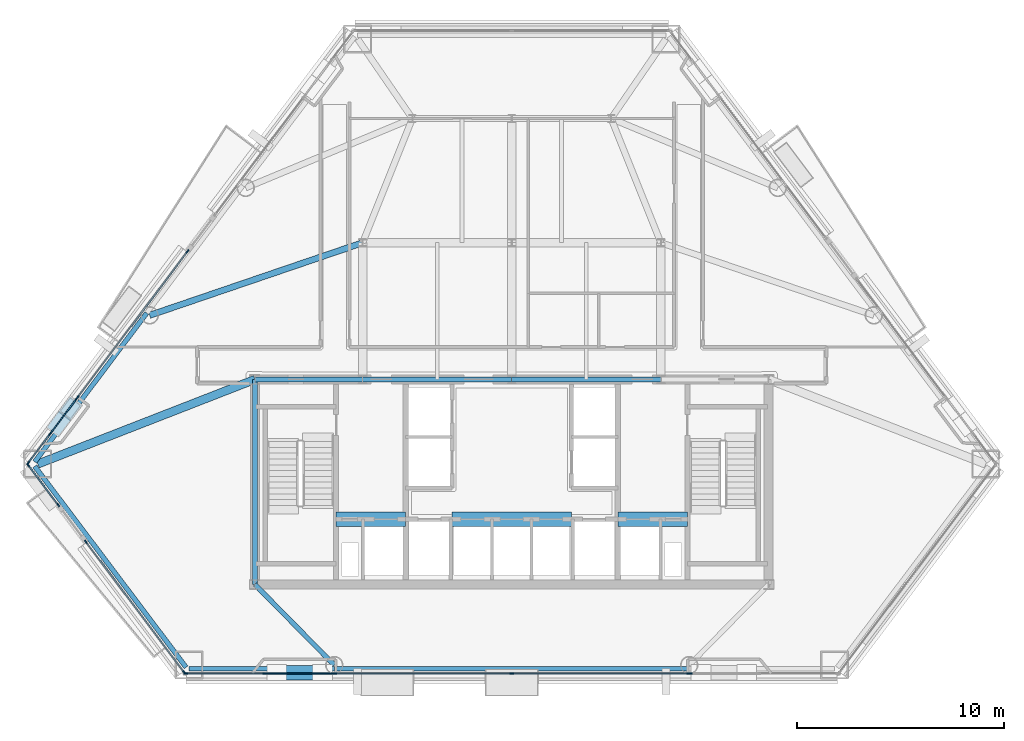
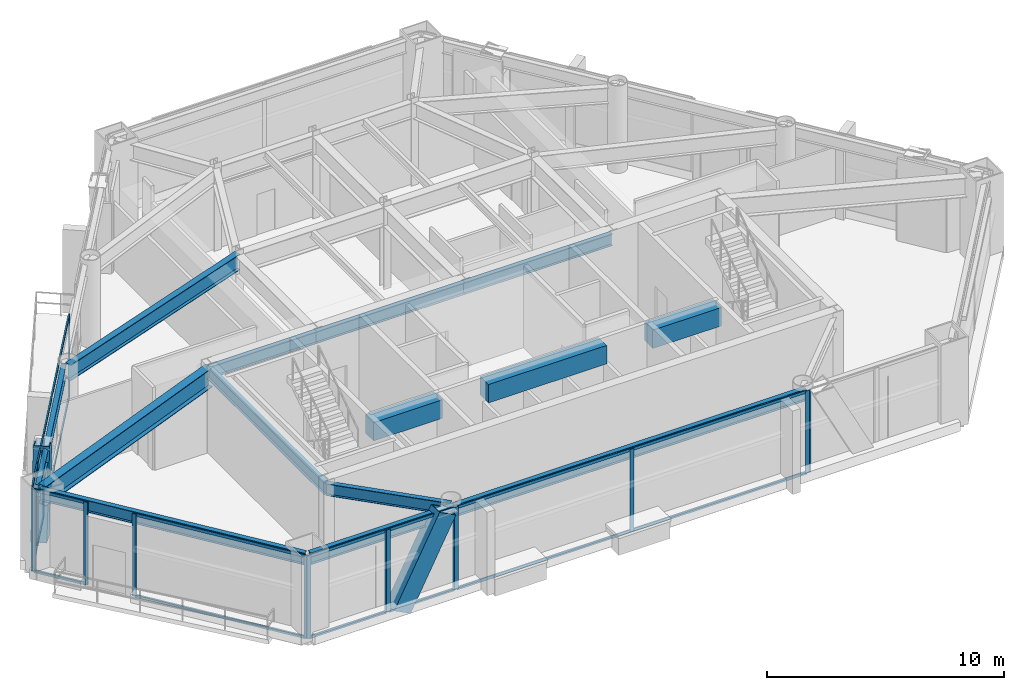
# One storey, part 2 of 10: 38 members, 14 beams, 9 elements without a shape of their own.
"""IFC4 building model written with IfcOpenShell, lengths in metres."""

from ifc_helpers import new_model, si_unit, direction, frame, origin, origin_2d, place, context, subcontext, project, spatial, rectangle, hollow_rectangle, i_section, extrude, material, layer, layer_set, material_profile, profile_set, type_object, element, aggregate, save


model = new_model("IFC4")

# Units and contexts
model_context = context("Model", 3, precision=1e-05, world=origin(), true_north=direction((0.0, 1.0)))
body_context = subcontext(model_context, "Body", "Model", "MODEL_VIEW")
ifc_project = project(units=[si_unit("LENGTHUNIT", "METRE"), si_unit("AREAUNIT", "SQUARE_METRE"), si_unit("VOLUMEUNIT", "CUBIC_METRE"), si_unit("PLANEANGLEUNIT", "RADIAN"), si_unit("MASSUNIT", "GRAM", prefix="KILO")], contexts=[model_context])

# Site, building, storey
site_placement = place(None, origin())
site = spatial("IfcSite", under=ifc_project, at=site_placement, CompositionType="ELEMENT")
building_placement = place(site_placement, origin())
building = spatial("IfcBuilding", under=site, at=building_placement, Name="Talgorran Terracotta Tower", CompositionType="ELEMENT")
storey_placement = place(building_placement, frame((0.0, 0.0, 60.300048828125)))
storey = spatial("IfcBuildingStorey", under=building, at=storey_placement, Name="L15", CompositionType="ELEMENT", Elevation=60.300048828125)

# Beams
ifc_material_1 = material(Name="Steel Grade 350 (350L0)", Category="steel")
ifc_material_profile_1 = material_profile(ifc_material_1, i_section(OverallWidth=0.39990234375, OverallDepth=1.0, WebThickness=0.01611328125, FlangeThickness=0.031005859375, at=origin_2d()), Name="1000WB296")
ifc_profile_set_1 = profile_set([ifc_material_profile_1], Name="Steel Grade 350 (350L0)")
beam_type_1 = type_object("IfcBeamType", Name="BM_1000WB296", PredefinedType="BEAM", material=ifc_profile_set_1)
beam_1_placement = place(storey_placement, frame((-12.39990234375, -4.199951171875, 3.75), z_axis=(-0.931733259181, -0.363143406571, 0.0), x_axis=(0.363143406571, -0.931733259181, 0.0)))
element("IfcBeam", 1, at=beam_1_placement, inside=storey, type_object=beam_type_1, Name="L15 Floor Girder G17", PredefinedType="BEAM", context=body_context, shape_type="SweptSolid", body=[
    extrude(i_section(OverallWidth=0.39990234375, OverallDepth=1.0, WebThickness=0.01611328125, FlangeThickness=0.031005859375, at=origin_2d()), origin(), (0.0, 0.0, 1.0), 11.253662109375),
])
ifc_material_2 = material(Name="Steel S355 (300PLUS)", Category="steel")
ifc_material_profile_2 = material_profile(ifc_material_2, i_section(OverallWidth=0.300048828125, OverallDepth=0.81591796875, WebThickness=0.013916015625, FlangeThickness=0.028076171875, at=origin_2d()), Name="800WB192")
ifc_profile_set_2 = profile_set([ifc_material_profile_2], Name="Steel S355 (300PLUS)")
beam_type_2 = type_object("IfcBeamType", Name="BM_800WB192", PredefinedType="BEAM", material=ifc_profile_set_2)
beam_2_placement = place(storey_placement, frame((-7.199951171875, 2.39990234375, 3.842041015625), z_axis=(-0.94650066869, -0.322701850274, 0.0), x_axis=(0.322701850274, -0.94650066869, 0.0)))
element("IfcBeam", 2, at=beam_2_placement, inside=storey, type_object=beam_type_2, Name="L15 Floor Girder G06", PredefinedType="BEAM", context=body_context, shape_type="SweptSolid", body=[
    extrude(i_section(OverallWidth=0.300048828125, OverallDepth=0.81591796875, WebThickness=0.013916015625, FlangeThickness=0.028076171875, at=origin_2d()), origin(), (0.0, 0.0, 1.0), 10.859619140625),
])
ifc_material_3 = material(Name="Concrete C65/80", Category="concrete")
ifc_material_profile_3 = material_profile(ifc_material_3, rectangle(XDim=0.699951171875, YDim=0.949951171875, at=origin_2d()), Name="RCCB700X950")
ifc_profile_set_3 = profile_set([ifc_material_profile_3], Name="Concrete C65/80")
beam_type_3 = type_object("IfcBeamType", Name="BM_CB_700X950", PredefinedType="LINTEL", material=ifc_profile_set_3)
beam_3_placement = place(storey_placement, frame((-8.47998046875, -10.949951171875, 3.77490234375), z_axis=(1.0, 0.0, 0.0), x_axis=(0.0, 1.0, 0.0)))
element("IfcBeam", 3, at=beam_3_placement, inside=storey, type_object=beam_type_3, Name="L15 Core Shear-Wall Coupling Beam CB1", PredefinedType="LINTEL", context=body_context, shape_type="SweptSolid", body=[
    extrude(rectangle(XDim=0.699951171875, YDim=0.949951171875, at=origin_2d()), origin(), (0.0, 0.0, 1.0), 3.35986328125),
])
beam_4_placement = place(storey_placement, frame((-2.8798828125, -10.949951171875, 3.77490234375), z_axis=(1.0, 0.0, 0.0), x_axis=(0.0, 1.0, 0.0)))
element("IfcBeam", 4, at=beam_4_placement, inside=storey, type_object=beam_type_3, Name="L15 Core Shear-Wall Coupling Beam CB2", PredefinedType="LINTEL", context=body_context, shape_type="SweptSolid", body=[
    extrude(rectangle(XDim=0.699951171875, YDim=0.949951171875, at=origin_2d()), origin(), (0.0, 0.0, 1.0), 5.759765625),
])
beam_5_placement = place(storey_placement, frame((5.1201171875, -10.949951171875, 3.77490234375), z_axis=(1.0, 0.0, 0.0), x_axis=(0.0, 1.0, 0.0)))
element("IfcBeam", 5, at=beam_5_placement, inside=storey, type_object=beam_type_3, Name="L15 Core Shear-Wall Coupling Beam CB3", PredefinedType="LINTEL", context=body_context, shape_type="SweptSolid", body=[
    extrude(rectangle(XDim=0.699951171875, YDim=0.949951171875, at=origin_2d()), origin(), (0.0, 0.0, 1.0), 3.35986328125),
])
ifc_material_profile_4 = material_profile(ifc_material_2, i_section(OverallWidth=0.22900390625, OverallDepth=0.611572265625, WebThickness=0.011962890625, FlangeThickness=0.01953125, at=origin_2d()), Name="610UB125")
ifc_profile_set_4 = profile_set([ifc_material_profile_4], Name="Steel S355 (300PLUS)")
beam_type_4 = type_object("IfcBeamType", Name="BM_SP_610UB125", PredefinedType="SPANDREL", material=ifc_profile_set_4)
beam_6_placement = place(storey_placement, frame((-23.029052734375, -8.39501953125, 3.944091796875), z_axis=(0.601442935973, -0.798915761997, 0.0), x_axis=(0.798915761997, 0.601442935973, 0.0)))
element("IfcBeam", 6, at=beam_6_placement, inside=storey, type_object=beam_type_4, Name="L15 Perimeter Spandrel Beam MC1-MC2", PredefinedType="SPANDREL", context=body_context, shape_type="SweptSolid", body=[
    extrude(i_section(OverallWidth=0.22900390625, OverallDepth=0.611572265625, WebThickness=0.011962890625, FlangeThickness=0.01953125, at=origin_2d()), origin(), (0.0, 0.0, 1.0), 12.14697265625),
])
beam_7_placement = place(storey_placement, frame((-15.57958984375, -18.171142578125, 3.944091796875), z_axis=(1.0, 0.0, 0.0), x_axis=(0.0, 1.0, 0.0)))
element("IfcBeam", 7, at=beam_7_placement, inside=storey, type_object=beam_type_4, Name="L15 Perimeter Spandrel Beam MC2-FC1", PredefinedType="SPANDREL", context=body_context, shape_type="SweptSolid", body=[
    extrude(i_section(OverallWidth=0.22900390625, OverallDepth=0.611572265625, WebThickness=0.011962890625, FlangeThickness=0.01953125, at=origin_2d()), origin(), (0.0, 0.0, 1.0), 7.0107421875),
])
beam_8_placement = place(storey_placement, frame((-8.56884765625, -18.171142578125, 3.944091796875), z_axis=(1.0, 0.0, 0.0), x_axis=(0.0, 1.0, 0.0)))
element("IfcBeam", 8, at=beam_8_placement, inside=storey, type_object=beam_type_4, Name="L15 Perimeter Spandrel Beam FC1-FC2", PredefinedType="SPANDREL", context=body_context, shape_type="SweptSolid", body=[
    extrude(i_section(OverallWidth=0.22900390625, OverallDepth=0.611572265625, WebThickness=0.011962890625, FlangeThickness=0.01953125, at=origin_2d()), origin(), (0.0, 0.0, 1.0), 17.1376953125),
])
beam_9_placement = place(storey_placement, frame((-17.622314453125, -0.996337890625, 3.944091796875), z_axis=(-0.601446008666, -0.798913448791, 0.0), x_axis=(0.798913448791, -0.601446008666, 0.0)))
element("IfcBeam", 9, at=beam_9_placement, inside=storey, type_object=beam_type_4, Name="L15 Perimeter Spandrel Beam FC6-MC1", PredefinedType="SPANDREL", context=body_context, shape_type="SweptSolid", body=[
    extrude(i_section(OverallWidth=0.22900390625, OverallDepth=0.611572265625, WebThickness=0.011962890625, FlangeThickness=0.01953125, at=origin_2d()), origin(), (0.0, 0.0, 1.0), 8.989501953125),
])
beam_10_placement = place(storey_placement, frame((-8.56884765625, -17.9912109375, 3.944091796875), z_axis=(-0.701586091596, 0.712584700985, 0.0), x_axis=(-0.712584700985, -0.701586091596, 0.0)))
element("IfcBeam", 10, at=beam_10_placement, inside=storey, type_object=beam_type_4, Name="L15 South-West Core Tie Beam", PredefinedType="SPANDREL", context=body_context, shape_type="SweptSolid", body=[
    extrude(i_section(OverallWidth=0.22900390625, OverallDepth=0.611572265625, WebThickness=0.011962890625, FlangeThickness=0.01953125, at=origin_2d()), origin(), (0.0, 0.0, 1.0), 5.46044921875),
])
beam_11_placement = place(storey_placement, frame((-12.39990234375, -14.10009765625, 3.944091796875), z_axis=(0.0, 1.0, 0.0), x_axis=(-1.0, 0.0, 0.0)))
element("IfcBeam", 11, at=beam_11_placement, inside=storey, type_object=beam_type_4, Name="L15 Core Frame Beam CFW", PredefinedType="SPANDREL", context=body_context, shape_type="SweptSolid", body=[
    extrude(i_section(OverallWidth=0.22900390625, OverallDepth=0.611572265625, WebThickness=0.011962890625, FlangeThickness=0.01953125, at=origin_2d()), origin(), (0.0, 0.0, 1.0), 9.900146484375),
])
beam_12_placement = place(storey_placement, frame((-12.39990234375, -4.199951171875, 3.944091796875), z_axis=(1.0, 0.0, 0.0), x_axis=(0.0, 1.0, 0.0)))
element("IfcBeam", 12, at=beam_12_placement, inside=storey, type_object=beam_type_4, Name="L15 Core Frame Beam CFN1", PredefinedType="SPANDREL", context=body_context, shape_type="SweptSolid", body=[
    extrude(i_section(OverallWidth=0.22900390625, OverallDepth=0.611572265625, WebThickness=0.011962890625, FlangeThickness=0.01953125, at=origin_2d()), origin(), (0.0, 0.0, 1.0), 5.199951171875),
])
for number, where, z_axis, x_axis, name in (
    (13, (-7.199951171875, -4.199951171875, 3.944091796875), (1.0, 0.0, 0.0), (0.0, 1.0, 0.0), "L15 Core Frame Beam CFN2"),
    (14, (0.0, -4.199951171875, 3.944091796875), (1.0, 0.0, 0.0), (0.0, 1.0, 0.0), "L15 Core Frame Beam CFN3"),
):
    element("IfcBeam", number, at=place(storey_placement, frame(where, z_axis=z_axis, x_axis=x_axis)), inside=storey, type_object=beam_type_4, Name=name, PredefinedType="SPANDREL", context=body_context, shape_type="SweptSolid", body=[
        extrude(i_section(OverallWidth=0.22900390625, OverallDepth=0.611572265625, WebThickness=0.011962890625, FlangeThickness=0.01953125, at=origin_2d()), origin(), (0.0, 0.0, 1.0), 7.199951171875),
    ])

# Members
ifc_material_profile_5 = material_profile(ifc_material_1, hollow_rectangle(XDim=0.699951171875, YDim=0.89990234375, WallThickness=0.050048828125, at=origin_2d()), Name="WBOX900X700X50")
ifc_profile_set_5 = profile_set([ifc_material_profile_5], Name="Steel Grade 350 (350L0)")
member_type_1 = type_object("IfcMemberType", Name="MB_MEGA_900", PredefinedType="BRACE", material=ifc_profile_set_5)
member_1_placement = place(storey_placement, frame((-11.3466796875, -18.35107421875, -0.025146484375), z_axis=(0.456504313532, 0.0, 0.889721198875), x_axis=(0.0, 1.0, 0.0)))
element("IfcMember", 15, at=member_1_placement, inside=storey, type_object=member_type_1, Name="L15 Exterior Face Mega-Brace MB-1 (SWF)", PredefinedType="BRACE", context=body_context, shape_type="SweptSolid", body=[
    extrude(hollow_rectangle(XDim=0.699951171875, YDim=0.89990234375, WallThickness=0.050048828125, at=origin_2d()), origin(), (0.0, 0.0, 1.0), 4.8330078125),
])
member_2_placement = place(storey_placement, frame((-21.889892578125, -6.365478515625, -0.025146484375), z_axis=(0.132000921247, 0.17526265834, 0.975632490942), x_axis=(-0.798786555616, 0.601614526559, 0.0)))
element("IfcMember", 16, at=member_2_placement, inside=storey, type_object=member_type_1, Name="L15 Exterior Face Mega-Brace MB-1 (NWL)", PredefinedType="BRACE", context=body_context, shape_type="SweptSolid", body=[
    extrude(hollow_rectangle(XDim=0.699951171875, YDim=0.89990234375, WallThickness=0.050048828125, at=origin_2d()), origin(), (0.0, 0.0, 1.0), 4.407470703125),
])

# Curtain wall, members
ifc_material_4 = material(Name="Unitised Low-E Double Glazing", Category="glass")
ifc_layer = layer(ifc_material_4, 0.199951171875, Name="CW_SYS2_RES_LOW")
ifc_layer_set = layer_set([ifc_layer], Name="Unitised Low-E Double Glazing")
curtain_wall_type = type_object("IfcCurtainWallType", Name="CW_SYS2_RES_LOW", PredefinedType="NOTDEFINED", material=ifc_layer_set)
curtain_wall_1_placement = place(storey_placement, origin())
curtain_wall_1 = element("IfcCurtainWall", 17, at=curtain_wall_1_placement, inside=storey, type_object=curtain_wall_type, Name="CW-L15-F10", PredefinedType="NOTDEFINED")
ifc_material_5 = material(Name="Architectural Aluminium 6063-T6", Category="aluminium")
ifc_material_profile_6 = material_profile(ifc_material_5, rectangle(XDim=0.06494140625, YDim=0.18505859375, at=origin_2d()), Name="CWM65X185")
ifc_profile_set_6 = profile_set([ifc_material_profile_6], Name="Architectural Aluminium 6063-T6")
member_type_2 = type_object("IfcMemberType", Name="MUL_65X185", PredefinedType="MULLION", material=ifc_profile_set_6)
member_3_placement = place(storey_placement, frame((-23.34228515625, -8.344482421875, 0.0), z_axis=(0.0, 0.0, 1.0), x_axis=(0.798915613263, 0.601443133541, 0.0)))
member_3 = element("IfcMember", 18, at=member_3_placement, type_object=member_type_2, Name="CW-L15-10 mullion 1", PredefinedType="MULLION", context=body_context, shape_type="SweptSolid", body=[
    extrude(rectangle(XDim=0.06494140625, YDim=0.18505859375, at=origin_2d()), origin(), (0.0, 0.0, 1.0), 4.25),
])
member_4_placement = place(storey_placement, frame((-21.8955078125, -10.2666015625, 0.0), z_axis=(0.0, 0.0, 1.0), x_axis=(0.798915613263, 0.601443133541, 0.0)))
member_4 = element("IfcMember", 19, at=member_4_placement, type_object=member_type_2, Name="CW-L15-10 mullion 2", PredefinedType="MULLION", context=body_context, shape_type="SweptSolid", body=[
    extrude(rectangle(XDim=0.06494140625, YDim=0.18505859375, at=origin_2d()), origin(), (0.0, 0.0, 1.0), 4.25),
])

curtain_wall_2_placement = place(storey_placement, origin())
curtain_wall_2 = element("IfcCurtainWall", 20, at=curtain_wall_2_placement, inside=storey, type_object=curtain_wall_type, Name="CW-L15-F11", PredefinedType="NOTDEFINED")
member_5_placement = place(storey_placement, frame((-20.557373046875, -12.044189453125, 0.0), z_axis=(0.0, 0.0, 1.0), x_axis=(0.798914642852, 0.601444422567, 0.0)))
member_5 = element("IfcMember", 21, at=member_5_placement, type_object=member_type_2, Name="CW-L15-11 mullion 1", PredefinedType="MULLION", context=body_context, shape_type="SweptSolid", body=[
    extrude(rectangle(XDim=0.06494140625, YDim=0.18505859375, at=origin_2d()), origin(), (0.0, 0.0, 1.0), 4.25),
])
member_6_placement = place(storey_placement, frame((-15.82275390625, -18.333251953125, 0.0), z_axis=(0.0, 0.0, 1.0), x_axis=(0.798914642852, 0.601444422567, 0.0)))
member_6 = element("IfcMember", 22, at=member_6_placement, type_object=member_type_2, Name="CW-L15-11 mullion 2", PredefinedType="MULLION", context=body_context, shape_type="SweptSolid", body=[
    extrude(rectangle(XDim=0.06494140625, YDim=0.18505859375, at=origin_2d()), origin(), (0.0, 0.0, 1.0), 4.25),
])

curtain_wall_3_placement = place(storey_placement, origin())
curtain_wall_3 = element("IfcCurtainWall", 23, at=curtain_wall_3_placement, inside=storey, type_object=curtain_wall_type, Name="CW-L15-F1", PredefinedType="NOTDEFINED")
member_7_placement = place(storey_placement, frame((-15.74658203125, -18.39111328125, 0.0), z_axis=(0.0, 0.0, 1.0), x_axis=(0.0, 1.0, 0.0)))
member_7 = element("IfcMember", 24, at=member_7_placement, type_object=member_type_2, Name="CW-L15-1 mullion 1", PredefinedType="MULLION", context=body_context, shape_type="SweptSolid", body=[
    extrude(rectangle(XDim=0.06494140625, YDim=0.18505859375, at=origin_2d()), origin(), (0.0, 0.0, 1.0), 4.25),
])
member_8_placement = place(storey_placement, frame((-11.9345703125, -18.39111328125, 0.0), z_axis=(0.0, 0.0, 1.0), x_axis=(0.0, 1.0, 0.0)))
member_8 = element("IfcMember", 25, at=member_8_placement, type_object=member_type_2, Name="CW-L15-1 mullion 2", PredefinedType="MULLION", context=body_context, shape_type="SweptSolid", body=[
    extrude(rectangle(XDim=0.06494140625, YDim=0.18505859375, at=origin_2d()), origin(), (0.0, 0.0, 1.0), 4.25),
])

curtain_wall_4_placement = place(storey_placement, origin())
curtain_wall_4 = element("IfcCurtainWall", 26, at=curtain_wall_4_placement, inside=storey, type_object=curtain_wall_type, Name="CW-L15-F1B", PredefinedType="NOTDEFINED")
member_9_placement = place(storey_placement, frame((-11.859619140625, -18.39111328125, 0.0), z_axis=(0.0, 0.0, 1.0), x_axis=(0.0, 1.0, 0.0)))
member_9 = element("IfcMember", 27, at=member_9_placement, type_object=member_type_2, Name="CW-L15-1B mullion 1", PredefinedType="MULLION", context=body_context, shape_type="SweptSolid", body=[
    extrude(rectangle(XDim=0.06494140625, YDim=0.18505859375, at=origin_2d()), origin(), (0.0, 0.0, 1.0), 4.25),
])
member_10_placement = place(storey_placement, frame((-8.62744140625, -18.39111328125, 0.0), z_axis=(0.0, 0.0, 1.0), x_axis=(0.0, 1.0, 0.0)))
member_10 = element("IfcMember", 28, at=member_10_placement, type_object=member_type_2, Name="CW-L15-1B mullion 2", PredefinedType="MULLION", context=body_context, shape_type="SweptSolid", body=[
    extrude(rectangle(XDim=0.06494140625, YDim=0.18505859375, at=origin_2d()), origin(), (0.0, 0.0, 1.0), 4.25),
])

curtain_wall_5_placement = place(storey_placement, origin())
curtain_wall_5 = element("IfcCurtainWall", 29, at=curtain_wall_5_placement, inside=storey, type_object=curtain_wall_type, Name="CW-L15-F1C", PredefinedType="NOTDEFINED")
member_11_placement = place(storey_placement, frame((-8.552490234375, -18.39111328125, 0.0), z_axis=(0.0, 0.0, 1.0), x_axis=(0.0, 1.0, 0.0)))
member_11 = element("IfcMember", 30, at=member_11_placement, type_object=member_type_2, Name="CW-L15-1C mullion 1", PredefinedType="MULLION", context=body_context, shape_type="SweptSolid", body=[
    extrude(rectangle(XDim=0.06494140625, YDim=0.18505859375, at=origin_2d()), origin(), (0.0, 0.0, 1.0), 4.25),
])
member_12_placement = place(storey_placement, frame((0.0, -18.39111328125, 0.0), z_axis=(0.0, 0.0, 1.0), x_axis=(0.0, 1.0, 0.0)))
member_12 = element("IfcMember", 31, at=member_12_placement, type_object=member_type_2, Name="CW-L15-1C mullion 2", PredefinedType="MULLION", context=body_context, shape_type="SweptSolid", body=[
    extrude(rectangle(XDim=0.06494140625, YDim=0.18505859375, at=origin_2d()), origin(), (0.0, 0.0, 1.0), 4.25),
])
member_13_placement = place(storey_placement, frame((8.552490234375, -18.39111328125, 0.0), z_axis=(0.0, 0.0, 1.0), x_axis=(0.0, 1.0, 0.0)))
member_13 = element("IfcMember", 32, at=member_13_placement, type_object=member_type_2, Name="CW-L15-1C mullion 3", PredefinedType="MULLION", context=body_context, shape_type="SweptSolid", body=[
    extrude(rectangle(XDim=0.06494140625, YDim=0.18505859375, at=origin_2d()), origin(), (0.0, 0.0, 1.0), 4.25),
])

# Curtain wall, member
curtain_wall_6_placement = place(storey_placement, origin())
curtain_wall_6 = element("IfcCurtainWall", 33, at=curtain_wall_6_placement, inside=storey, type_object=curtain_wall_type, Name="CW-L15-F1D", PredefinedType="NOTDEFINED")
member_14_placement = place(storey_placement, frame((8.62744140625, -18.39111328125, 0.0), z_axis=(0.0, 0.0, 1.0), x_axis=(0.0, 1.0, 0.0)))
member_14 = element("IfcMember", 34, at=member_14_placement, type_object=member_type_2, Name="CW-L15-1D mullion 1", PredefinedType="MULLION", context=body_context, shape_type="SweptSolid", body=[
    extrude(rectangle(XDim=0.06494140625, YDim=0.18505859375, at=origin_2d()), origin(), (0.0, 0.0, 1.0), 4.25),
])
aggregate(curtain_wall_6, [member_14])

# Curtain wall, members
curtain_wall_7_placement = place(storey_placement, origin())
curtain_wall_7 = element("IfcCurtainWall", 35, at=curtain_wall_7_placement, inside=storey, type_object=curtain_wall_type, Name="CW-L15-F61", PredefinedType="NOTDEFINED")
member_15_placement = place(storey_placement, frame((-15.651611328125, 1.9873046875, 0.0), z_axis=(0.0, 0.0, 1.0), x_axis=(0.798918296886, -0.601439568785, 0.0)))
member_15 = element("IfcMember", 36, at=member_15_placement, type_object=member_type_2, Name="CW-L15-61 mullion 1", PredefinedType="MULLION", context=body_context, shape_type="SweptSolid", body=[
    extrude(rectangle(XDim=0.06494140625, YDim=0.18505859375, at=origin_2d()), origin(), (0.0, 0.0, 1.0), 4.25),
])
member_16_placement = place(storey_placement, frame((-20.96337890625, -5.068359375, 0.0), z_axis=(0.0, 0.0, 1.0), x_axis=(0.798918296886, -0.601439568785, 0.0)))
member_16 = element("IfcMember", 37, at=member_16_placement, type_object=member_type_2, Name="CW-L15-61 mullion 2", PredefinedType="MULLION", context=body_context, shape_type="SweptSolid", body=[
    extrude(rectangle(XDim=0.06494140625, YDim=0.18505859375, at=origin_2d()), origin(), (0.0, 0.0, 1.0), 4.25),
])

curtain_wall_8_placement = place(storey_placement, origin())
curtain_wall_8 = element("IfcCurtainWall", 38, at=curtain_wall_8_placement, inside=storey, type_object=curtain_wall_type, Name="CW-L15-F61B", PredefinedType="NOTDEFINED")
member_17_placement = place(storey_placement, frame((-21.008544921875, -5.12841796875, 0.0), z_axis=(0.0, 0.0, 1.0), x_axis=(0.798930868985, -0.601422868358, 0.0)))
member_17 = element("IfcMember", 39, at=member_17_placement, type_object=member_type_2, Name="CW-L15-61B mullion 1", PredefinedType="MULLION", context=body_context, shape_type="SweptSolid", body=[
    extrude(rectangle(XDim=0.06494140625, YDim=0.18505859375, at=origin_2d()), origin(), (0.0, 0.0, 1.0), 4.25),
])
member_18_placement = place(storey_placement, frame((-22.25341796875, -6.7822265625, 0.0), z_axis=(0.0, 0.0, 1.0), x_axis=(0.798930868985, -0.601422868358, 0.0)))
member_18 = element("IfcMember", 40, at=member_18_placement, type_object=member_type_2, Name="CW-L15-61B mullion 2", PredefinedType="MULLION", context=body_context, shape_type="SweptSolid", body=[
    extrude(rectangle(XDim=0.06494140625, YDim=0.18505859375, at=origin_2d()), origin(), (0.0, 0.0, 1.0), 4.25),
])

curtain_wall_9_placement = place(storey_placement, origin())
curtain_wall_9 = element("IfcCurtainWall", 41, at=curtain_wall_9_placement, inside=storey, type_object=curtain_wall_type, Name="CW-L15-F61C", PredefinedType="NOTDEFINED")
member_19_placement = place(storey_placement, frame((-22.298583984375, -6.84228515625, 0.0), z_axis=(0.0, 0.0, 1.0), x_axis=(0.798905620305, -0.601456407269, 0.0)))
member_19 = element("IfcMember", 42, at=member_19_placement, type_object=member_type_2, Name="CW-L15-61C mullion 1", PredefinedType="MULLION", context=body_context, shape_type="SweptSolid", body=[
    extrude(rectangle(XDim=0.06494140625, YDim=0.18505859375, at=origin_2d()), origin(), (0.0, 0.0, 1.0), 4.25),
])
member_20_placement = place(storey_placement, frame((-23.34228515625, -8.228515625, 0.0), z_axis=(0.0, 0.0, 1.0), x_axis=(0.798905620305, -0.601456407269, 0.0)))
member_20 = element("IfcMember", 43, at=member_20_placement, type_object=member_type_2, Name="CW-L15-61C mullion 2", PredefinedType="MULLION", context=body_context, shape_type="SweptSolid", body=[
    extrude(rectangle(XDim=0.06494140625, YDim=0.18505859375, at=origin_2d()), origin(), (0.0, 0.0, 1.0), 4.25),
])

# Member
ifc_material_profile_7 = material_profile(ifc_material_5, rectangle(XDim=0.06494140625, YDim=0.14990234375, at=origin_2d()), Name="CWT65X150")
ifc_profile_set_7 = profile_set([ifc_material_profile_7], Name="Architectural Aluminium 6063-T6")
member_type_3 = type_object("IfcMemberType", Name="TRN_65X150", PredefinedType="USERDEFINED", material=ifc_profile_set_7)
member_21_placement = place(storey_placement, frame((-23.32275390625, -8.37060546875, 0.032470703125), z_axis=(0.601451005843, -0.798909686742, 0.0), x_axis=(0.798909686742, 0.601451005843, 0.0)))
member_21 = element("IfcMember", 44, at=member_21_placement, type_object=member_type_3, Name="CW-L15-10 transom 1.1", ObjectType="TRANSOM", PredefinedType="USERDEFINED", context=body_context, shape_type="SweptSolid", body=[
    extrude(rectangle(XDim=0.06494140625, YDim=0.14990234375, at=origin_2d()), origin(), (0.0, 0.0, 1.0), 2.340576171875),
])

member_22_placement = place(storey_placement, frame((-23.32275390625, -8.37060546875, 4.217529296875), z_axis=(0.601451005843, -0.798909686742, 0.0), x_axis=(0.798909686742, 0.601451005843, 0.0)))
member_22 = element("IfcMember", 45, at=member_22_placement, type_object=member_type_3, Name="CW-L15-10 transom 1.2", ObjectType="TRANSOM", PredefinedType="USERDEFINED", context=body_context, shape_type="SweptSolid", body=[
    extrude(rectangle(XDim=0.06494140625, YDim=0.14990234375, at=origin_2d()), origin(), (0.0, 0.0, 1.0), 2.340576171875),
])

aggregate(curtain_wall_1, [member_3, member_4, member_21, member_22])

member_23_placement = place(storey_placement, frame((-20.53759765625, -12.070068359375, 0.032470703125), z_axis=(0.601435072156, -0.798921682007, 0.0), x_axis=(0.798921682007, 0.601435072156, 0.0)))
member_23 = element("IfcMember", 46, at=member_23_placement, type_object=member_type_3, Name="CW-L15-11 transom 1.1", ObjectType="TRANSOM", PredefinedType="USERDEFINED", context=body_context, shape_type="SweptSolid", body=[
    extrude(rectangle(XDim=0.06494140625, YDim=0.14990234375, at=origin_2d()), origin(), (0.0, 0.0, 1.0), 7.806884765625),
])

member_24_placement = place(storey_placement, frame((-20.53759765625, -12.070068359375, 4.217529296875), z_axis=(0.601435072156, -0.798921682007, 0.0), x_axis=(0.798921682007, 0.601435072156, 0.0)))
member_24 = element("IfcMember", 47, at=member_24_placement, type_object=member_type_3, Name="CW-L15-11 transom 1.2", ObjectType="TRANSOM", PredefinedType="USERDEFINED", context=body_context, shape_type="SweptSolid", body=[
    extrude(rectangle(XDim=0.06494140625, YDim=0.14990234375, at=origin_2d()), origin(), (0.0, 0.0, 1.0), 7.806884765625),
])

aggregate(curtain_wall_2, [member_5, member_6, member_23, member_24])

member_25_placement = place(storey_placement, frame((-15.714111328125, -18.39111328125, 0.032470703125), z_axis=(1.0, 0.0, 0.0), x_axis=(0.0, 1.0, 0.0)))
member_25 = element("IfcMember", 48, at=member_25_placement, type_object=member_type_3, Name="CW-L15-1 transom 1.1", ObjectType="TRANSOM", PredefinedType="USERDEFINED", context=body_context, shape_type="SweptSolid", body=[
    extrude(rectangle(XDim=0.06494140625, YDim=0.14990234375, at=origin_2d()), origin(), (0.0, 0.0, 1.0), 3.7470703125),
])

member_26_placement = place(storey_placement, frame((-15.714111328125, -18.39111328125, 4.217529296875), z_axis=(1.0, 0.0, 0.0), x_axis=(0.0, 1.0, 0.0)))
member_26 = element("IfcMember", 49, at=member_26_placement, type_object=member_type_3, Name="CW-L15-1 transom 1.2", ObjectType="TRANSOM", PredefinedType="USERDEFINED", context=body_context, shape_type="SweptSolid", body=[
    extrude(rectangle(XDim=0.06494140625, YDim=0.14990234375, at=origin_2d()), origin(), (0.0, 0.0, 1.0), 3.7470703125),
])

aggregate(curtain_wall_3, [member_7, member_8, member_25, member_26])

member_27_placement = place(storey_placement, frame((-11.826904296875, -18.39111328125, 0.032470703125), z_axis=(1.0, 0.0, 0.0), x_axis=(0.0, 1.0, 0.0)))
member_27 = element("IfcMember", 50, at=member_27_placement, type_object=member_type_3, Name="CW-L15-1B transom 1.1", ObjectType="TRANSOM", PredefinedType="USERDEFINED", context=body_context, shape_type="SweptSolid", body=[
    extrude(rectangle(XDim=0.06494140625, YDim=0.14990234375, at=origin_2d()), origin(), (0.0, 0.0, 1.0), 3.1669921875),
])

member_28_placement = place(storey_placement, frame((-11.826904296875, -18.39111328125, 4.217529296875), z_axis=(1.0, 0.0, 0.0), x_axis=(0.0, 1.0, 0.0)))
member_28 = element("IfcMember", 51, at=member_28_placement, type_object=member_type_3, Name="CW-L15-1B transom 1.2", ObjectType="TRANSOM", PredefinedType="USERDEFINED", context=body_context, shape_type="SweptSolid", body=[
    extrude(rectangle(XDim=0.06494140625, YDim=0.14990234375, at=origin_2d()), origin(), (0.0, 0.0, 1.0), 3.1669921875),
])

aggregate(curtain_wall_4, [member_9, member_10, member_27, member_28])

member_29_placement = place(storey_placement, frame((-8.52001953125, -18.39111328125, 0.032470703125), z_axis=(1.0, 0.0, 0.0), x_axis=(0.0, 1.0, 0.0)))
member_29 = element("IfcMember", 52, at=member_29_placement, type_object=member_type_3, Name="CW-L15-1C transom 1.1", ObjectType="TRANSOM", PredefinedType="USERDEFINED", context=body_context, shape_type="SweptSolid", body=[
    extrude(rectangle(XDim=0.06494140625, YDim=0.14990234375, at=origin_2d()), origin(), (0.0, 0.0, 1.0), 8.487548828125),
])

member_30_placement = place(storey_placement, frame((-8.52001953125, -18.39111328125, 4.217529296875), z_axis=(1.0, 0.0, 0.0), x_axis=(0.0, 1.0, 0.0)))
member_30 = element("IfcMember", 53, at=member_30_placement, type_object=member_type_3, Name="CW-L15-1C transom 1.2", ObjectType="TRANSOM", PredefinedType="USERDEFINED", context=body_context, shape_type="SweptSolid", body=[
    extrude(rectangle(XDim=0.06494140625, YDim=0.14990234375, at=origin_2d()), origin(), (0.0, 0.0, 1.0), 8.487548828125),
])

member_31_placement = place(storey_placement, frame((0.032470703125, -18.39111328125, 0.032470703125), z_axis=(1.0, 0.0, 0.0), x_axis=(0.0, 1.0, 0.0)))
member_31 = element("IfcMember", 54, at=member_31_placement, type_object=member_type_3, Name="CW-L15-1C transom 2.1", ObjectType="TRANSOM", PredefinedType="USERDEFINED", context=body_context, shape_type="SweptSolid", body=[
    extrude(rectangle(XDim=0.06494140625, YDim=0.14990234375, at=origin_2d()), origin(), (0.0, 0.0, 1.0), 8.487548828125),
])

member_32_placement = place(storey_placement, frame((0.032470703125, -18.39111328125, 4.217529296875), z_axis=(1.0, 0.0, 0.0), x_axis=(0.0, 1.0, 0.0)))
member_32 = element("IfcMember", 55, at=member_32_placement, type_object=member_type_3, Name="CW-L15-1C transom 2.2", ObjectType="TRANSOM", PredefinedType="USERDEFINED", context=body_context, shape_type="SweptSolid", body=[
    extrude(rectangle(XDim=0.06494140625, YDim=0.14990234375, at=origin_2d()), origin(), (0.0, 0.0, 1.0), 8.487548828125),
])

aggregate(curtain_wall_5, [member_11, member_12, member_13, member_29, member_30, member_31, member_32])

member_33_placement = place(storey_placement, frame((-15.671142578125, 1.96142578125, 0.032470703125), z_axis=(-0.601442686003, -0.798915950181, 0.0), x_axis=(0.798915950181, -0.601442686003, 0.0)))
member_33 = element("IfcMember", 56, at=member_33_placement, type_object=member_type_3, Name="CW-L15-61 transom 1.1", ObjectType="TRANSOM", PredefinedType="USERDEFINED", context=body_context, shape_type="SweptSolid", body=[
    extrude(rectangle(XDim=0.06494140625, YDim=0.14990234375, at=origin_2d()), origin(), (0.0, 0.0, 1.0), 8.766845703125),
])

member_34_placement = place(storey_placement, frame((-15.671142578125, 1.96142578125, 4.217529296875), z_axis=(-0.601442686003, -0.798915950181, 0.0), x_axis=(0.798915950181, -0.601442686003, 0.0)))
member_34 = element("IfcMember", 57, at=member_34_placement, type_object=member_type_3, Name="CW-L15-61 transom 1.2", ObjectType="TRANSOM", PredefinedType="USERDEFINED", context=body_context, shape_type="SweptSolid", body=[
    extrude(rectangle(XDim=0.06494140625, YDim=0.14990234375, at=origin_2d()), origin(), (0.0, 0.0, 1.0), 8.766845703125),
])

aggregate(curtain_wall_7, [member_15, member_16, member_33, member_34])

member_35_placement = place(storey_placement, frame((-21.028076171875, -5.154296875, 0.032470703125), z_axis=(-0.601362818016, -0.798976070423, 0.0), x_axis=(0.798976070423, -0.601362818016, 0.0)))
member_35 = element("IfcMember", 58, at=member_35_placement, type_object=member_type_3, Name="CW-L15-61B transom 1.1", ObjectType="TRANSOM", PredefinedType="USERDEFINED", context=body_context, shape_type="SweptSolid", body=[
    extrude(rectangle(XDim=0.06494140625, YDim=0.14990234375, at=origin_2d()), origin(), (0.0, 0.0, 1.0), 2.005126953125),
])

member_36_placement = place(storey_placement, frame((-21.028076171875, -5.154296875, 4.217529296875), z_axis=(-0.601362818016, -0.798976070423, 0.0), x_axis=(0.798976070423, -0.601362818016, 0.0)))
member_36 = element("IfcMember", 59, at=member_36_placement, type_object=member_type_3, Name="CW-L15-61B transom 1.2", ObjectType="TRANSOM", PredefinedType="USERDEFINED", context=body_context, shape_type="SweptSolid", body=[
    extrude(rectangle(XDim=0.06494140625, YDim=0.14990234375, at=origin_2d()), origin(), (0.0, 0.0, 1.0), 2.005126953125),
])

aggregate(curtain_wall_8, [member_17, member_18, member_35, member_36])

member_37_placement = place(storey_placement, frame((-22.318115234375, -6.8681640625, 0.032470703125), z_axis=(-0.601448923038, -0.798911254757, 0.0), x_axis=(0.798911254757, -0.601448923038, 0.0)))
member_37 = element("IfcMember", 60, at=member_37_placement, type_object=member_type_3, Name="CW-L15-61C transom 1.1", ObjectType="TRANSOM", PredefinedType="USERDEFINED", context=body_context, shape_type="SweptSolid", body=[
    extrude(rectangle(XDim=0.06494140625, YDim=0.14990234375, at=origin_2d()), origin(), (0.0, 0.0, 1.0), 1.67041015625),
])

member_38_placement = place(storey_placement, frame((-22.318115234375, -6.8681640625, 4.217529296875), z_axis=(-0.601448923038, -0.798911254757, 0.0), x_axis=(0.798911254757, -0.601448923038, 0.0)))
member_38 = element("IfcMember", 61, at=member_38_placement, type_object=member_type_3, Name="CW-L15-61C transom 1.2", ObjectType="TRANSOM", PredefinedType="USERDEFINED", context=body_context, shape_type="SweptSolid", body=[
    extrude(rectangle(XDim=0.06494140625, YDim=0.14990234375, at=origin_2d()), origin(), (0.0, 0.0, 1.0), 1.67041015625),
])

aggregate(curtain_wall_9, [member_19, member_20, member_37, member_38])

save(model, "model.ifc")
